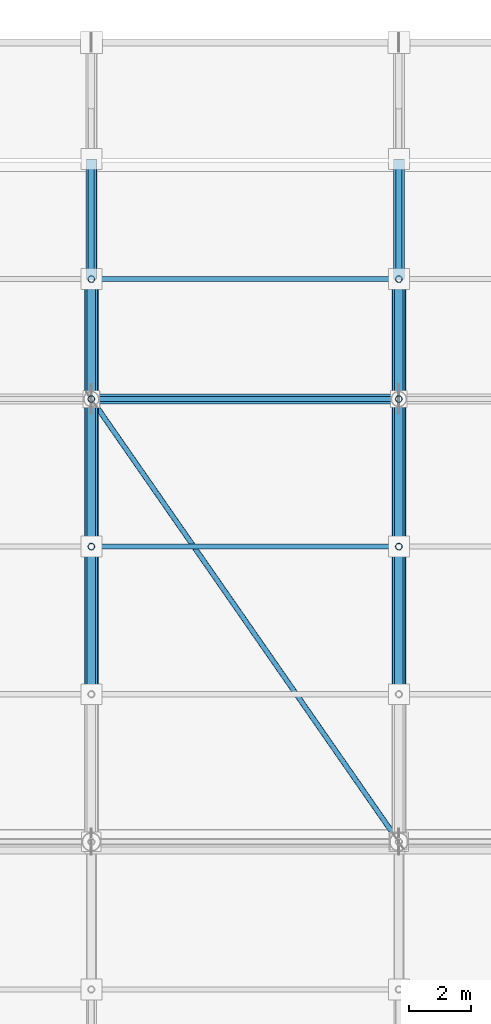
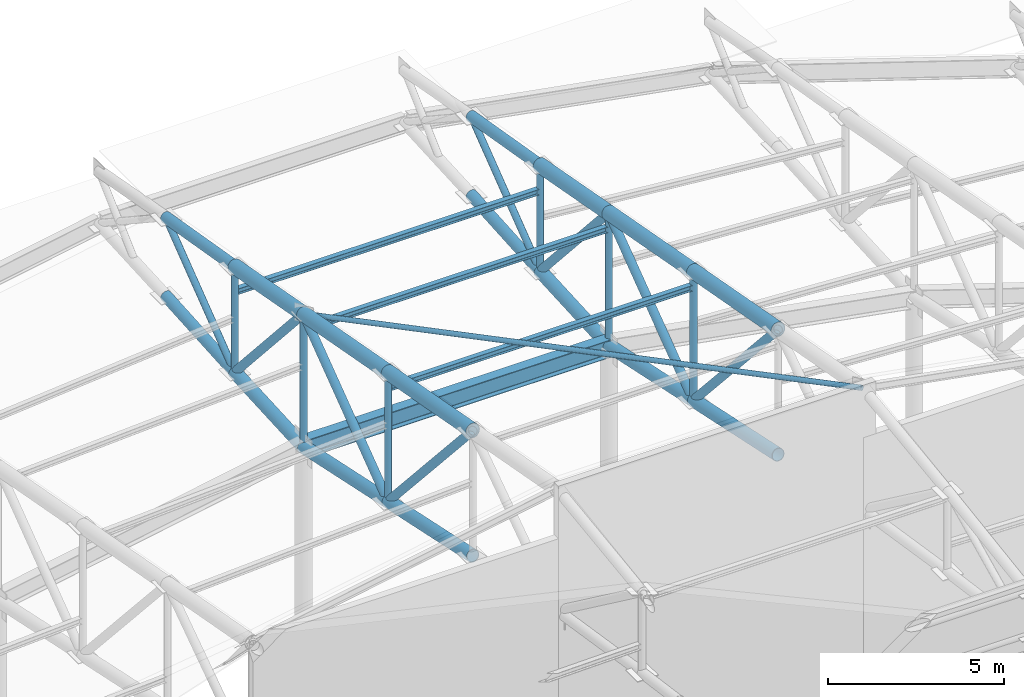
# One storey, part 34 of 146: 34 members, 1 beam.
"""IFC4 building model written with IfcOpenShell, lengths in metres."""

from ifc_helpers import new_model, si_unit, direction, frame, origin, origin_2d, place, context, subcontext, project, spatial, hollow_circle, i_section, extrude, material, material_profile, profile_set, type_object, element, save


model = new_model("IFC4")

# Units and contexts
model_context = context("Model", 3, precision=1e-05, world=origin(), true_north=direction((0.0, 1.0)))
body_context = subcontext(model_context, "Body", "Model", "MODEL_VIEW")
ifc_project = project(units=[si_unit("LENGTHUNIT", "METRE"), si_unit("AREAUNIT", "SQUARE_METRE"), si_unit("VOLUMEUNIT", "CUBIC_METRE"), si_unit("PLANEANGLEUNIT", "RADIAN"), si_unit("MASSUNIT", "GRAM", prefix="KILO")], contexts=[model_context])

# Site, building, storey
site_placement = place(None, origin())
site = spatial("IfcSite", under=ifc_project, at=site_placement, CompositionType="ELEMENT")
building_placement = place(site_placement, origin())
building = spatial("IfcBuilding", under=site, at=building_placement, Name="Candeia Ridge Stadium", CompositionType="ELEMENT")
storey_placement = place(building_placement, frame((0.0, 0.0, 31.800048828125)))
storey = spatial("IfcBuildingStorey", under=building, at=storey_placement, Name="RF", CompositionType="ELEMENT", Elevation=31.800048828125)

# Beam
ifc_material = material(Name="Steel ASTM A572 Grade 50", Category="steel")
ifc_material_profile_1 = material_profile(ifc_material, i_section(OverallWidth=0.324951171875, OverallDepth=0.615966796875, WebThickness=0.013916015625, FlangeThickness=0.021484375, FilletRadius=0.014892578125, at=origin_2d()), Name="W610x174", Category="steel")
ifc_profile_set_1 = profile_set([ifc_material_profile_1], Name="Steel ASTM A572 Grade 50")
beam_type = type_object("IfcBeamType", Name="Roof Compression Ring Beam W610x174", PredefinedType="BEAM", material=ifc_profile_set_1)
beam_placement = place(storey_placement, frame((101.0400390625, 33.39990234375, 6.500244140625), z_axis=(1.0, 0.0, 0.0), x_axis=(0.0, 1.0, 0.0)))
element("IfcBeam", 1, at=beam_placement, inside=storey, type_object=beam_type, Name="Roof compression ring beam bay 22", PredefinedType="BEAM", context=body_context, shape_type="SweptSolid", body=[
    extrude(i_section(OverallWidth=0.324951171875, OverallDepth=0.615966796875, WebThickness=0.013916015625, FlangeThickness=0.021484375, FilletRadius=0.014892578125, at=origin_2d()), origin(), (0.0, 0.0, 1.0), 9.919921875),
])

# Members
ifc_material_profile_2 = material_profile(ifc_material, hollow_circle(Radius=0.084228515625, WallThickness=0.008056640625, at=origin_2d()), Name="CHS168x8", Category="steel")
ifc_profile_set_2 = profile_set([ifc_material_profile_2], Name="Steel ASTM A572 Grade 50")
member_type_1 = type_object("IfcMemberType", Name="Roof Plan Wind Brace CHS168x8", PredefinedType="BRACE", material=ifc_profile_set_2)
member_1_placement = place(storey_placement, frame((101.01123046875, 33.3837890625, 11.103271484375), z_axis=(0.56392860847, -0.812044501318, 0.150227335823), x_axis=(0.821365787944, 0.570401825378, 0.0)))
element("IfcMember", 2, at=member_1_placement, inside=storey, type_object=member_type_1, Name="Roof plane wind brace bay 22", PredefinedType="BRACE", context=body_context, shape_type="SweptSolid", body=[
    extrude(hollow_circle(Radius=0.084228515625, WallThickness=0.008056640625, at=origin_2d()), origin(), (0.0, 0.0, 1.0), 17.69287109375),
])
ifc_material_profile_3 = material_profile(ifc_material, i_section(OverallWidth=0.1650390625, OverallDepth=0.200927734375, WebThickness=0.006103515625, FlangeThickness=0.01025390625, FilletRadius=0.010009765625, at=origin_2d()), Name="W200x35.9", Category="steel")
ifc_profile_set_3 = profile_set([ifc_material_profile_3], Name="Steel ASTM A572 Grade 50")
member_type_2 = type_object("IfcMemberType", Name="Roof Purlin W200x35.9", PredefinedType="PURLIN", material=ifc_profile_set_3)
for number, where, z_axis, x_axis, name in (
    (3, (101.050048828125, 37.300048828125, 9.518798828125), (1.0, 0.0, 0.0), (0.0, 1.0, 0.0), "Saddle roof steel purlin bay 22-1"),
    (4, (101.050048828125, 33.39990234375, 10.580322265625), (1.0, 0.0, 0.0), (0.0, 1.0, 0.0), "Saddle roof steel purlin bay 22-2"),
    (5, (101.050048828125, 28.60009765625, 11.46826171875), (1.0, 0.0, 0.0), (0.0, 1.0, 0.0), "Saddle roof steel purlin bay 22-3"),
):
    element("IfcMember", number, at=place(storey_placement, frame(where, z_axis=z_axis, x_axis=x_axis)), inside=storey, type_object=member_type_2, Name=name, PredefinedType="PURLIN", context=body_context, shape_type="SweptSolid", body=[
        extrude(i_section(OverallWidth=0.1650390625, OverallDepth=0.200927734375, WebThickness=0.006103515625, FlangeThickness=0.01025390625, FilletRadius=0.010009765625, at=origin_2d()), origin(), (0.0, 0.0, 1.0), 9.89990234375),
    ])
ifc_material_profile_4 = material_profile(ifc_material, hollow_circle(Radius=0.136474609375, WallThickness=0.010009765625, at=origin_2d()), Name="CHS273x10", Category="steel")
ifc_profile_set_4 = profile_set([ifc_material_profile_4], Name="Steel ASTM A572 Grade 50")
member_type_3 = type_object("IfcMemberType", Name="Roof Truss Heavy Web Brace CHS273x10", PredefinedType="BRACE", material=ifc_profile_set_4)
member_2_placement = place(storey_placement, frame((101.0, 37.300048828125, 6.72021484375), z_axis=(0.0, -0.665001791652, 0.746841761754), x_axis=(1.0, 0.0, 0.0)))
element("IfcMember", 6, at=member_2_placement, inside=storey, type_object=member_type_3, Name="Roof cantilever truss RT-22 diagonal web 3", PredefinedType="BRACE", context=body_context, shape_type="SweptSolid", body=[
    extrude(hollow_circle(Radius=0.136474609375, WallThickness=0.010009765625, at=origin_2d()), origin(), (0.0, 0.0, 1.0), 5.86474609375),
])
member_3_placement = place(storey_placement, frame((101.0, 33.39990234375, 11.100341796875), z_axis=(0.0, -0.801680135344, -0.597753260631), x_axis=(1.0, 0.0, 0.0)))
element("IfcMember", 7, at=member_3_placement, inside=storey, type_object=member_type_3, Name="Roof cantilever truss RT-22 diagonal web 4", PredefinedType="BRACE", context=body_context, shape_type="SweptSolid", body=[
    extrude(hollow_circle(Radius=0.136474609375, WallThickness=0.010009765625, at=origin_2d()), origin(), (0.0, 0.0, 1.0), 5.987060546875),
])
member_4_placement = place(storey_placement, frame((101.0, 28.60009765625, 7.521484375), z_axis=(0.0, -0.667487252066, 0.744621224737), x_axis=(1.0, 0.0, 0.0)))
element("IfcMember", 8, at=member_4_placement, inside=storey, type_object=member_type_3, Name="Roof cantilever truss RT-22 diagonal web 5", PredefinedType="BRACE", context=body_context, shape_type="SweptSolid", body=[
    extrude(hollow_circle(Radius=0.136474609375, WallThickness=0.010009765625, at=origin_2d()), origin(), (0.0, 0.0, 1.0), 7.191162109375),
])
member_5_placement = place(storey_placement, frame((111.0, 37.300048828125, 6.72021484375), z_axis=(0.0, -0.665001791652, 0.746841761754), x_axis=(1.0, 0.0, 0.0)))
element("IfcMember", 9, at=member_5_placement, inside=storey, type_object=member_type_3, Name="Roof cantilever truss RT-23 diagonal web 3", PredefinedType="BRACE", context=body_context, shape_type="SweptSolid", body=[
    extrude(hollow_circle(Radius=0.136474609375, WallThickness=0.010009765625, at=origin_2d()), origin(), (0.0, 0.0, 1.0), 5.86474609375),
])
member_6_placement = place(storey_placement, frame((111.0, 33.39990234375, 11.100341796875), z_axis=(0.0, -0.801680135344, -0.597753260631), x_axis=(1.0, 0.0, 0.0)))
element("IfcMember", 10, at=member_6_placement, inside=storey, type_object=member_type_3, Name="Roof cantilever truss RT-23 diagonal web 4", PredefinedType="BRACE", context=body_context, shape_type="SweptSolid", body=[
    extrude(hollow_circle(Radius=0.136474609375, WallThickness=0.010009765625, at=origin_2d()), origin(), (0.0, 0.0, 1.0), 5.987060546875),
])
member_7_placement = place(storey_placement, frame((111.0, 28.60009765625, 7.521484375), z_axis=(0.0, -0.667487252066, 0.744621224737), x_axis=(1.0, 0.0, 0.0)))
element("IfcMember", 11, at=member_7_placement, inside=storey, type_object=member_type_3, Name="Roof cantilever truss RT-23 diagonal web 5", PredefinedType="BRACE", context=body_context, shape_type="SweptSolid", body=[
    extrude(hollow_circle(Radius=0.136474609375, WallThickness=0.010009765625, at=origin_2d()), origin(), (0.0, 0.0, 1.0), 7.191162109375),
])
ifc_material_profile_5 = material_profile(ifc_material, hollow_circle(Radius=0.109619140625, WallThickness=0.010009765625, at=origin_2d()), Name="CHS219x10", Category="steel")
ifc_profile_set_5 = profile_set([ifc_material_profile_5], Name="Steel ASTM A572 Grade 50")
member_type_4 = type_object("IfcMemberType", Name="Roof Truss Inner Web Brace CHS219x10", PredefinedType="BRACE", material=ifc_profile_set_5)
member_8_placement = place(storey_placement, frame((101.0, 41.199951171875, 9.707275390625), z_axis=(0.0, -0.793887844601, -0.608064215519), x_axis=(1.0, 0.0, 0.0)))
element("IfcMember", 12, at=member_8_placement, inside=storey, type_object=member_type_4, Name="Roof cantilever truss RT-22 diagonal web 2", PredefinedType="BRACE", context=body_context, shape_type="SweptSolid", body=[
    extrude(hollow_circle(Radius=0.109619140625, WallThickness=0.010009765625, at=origin_2d()), origin(), (0.0, 0.0, 1.0), 4.912353515625),
])
member_9_placement = place(storey_placement, frame((101.0, 37.300048828125, 6.72021484375), z_axis=(0.0, 0.0, 1.0), x_axis=(1.0, 0.0, 0.0)))
element("IfcMember", 13, at=member_9_placement, inside=storey, type_object=member_type_4, Name="Roof cantilever truss RT-22 vertical post 2", PredefinedType="BRACE", context=body_context, shape_type="SweptSolid", body=[
    extrude(hollow_circle(Radius=0.109619140625, WallThickness=0.010009765625, at=origin_2d()), origin(), (0.0, 0.0, 1.0), 3.658447265625),
])
member_10_placement = place(storey_placement, frame((101.0, 33.39990234375, 6.500244140625), z_axis=(0.0, 0.0, 1.0), x_axis=(1.0, 0.0, 0.0)))
element("IfcMember", 14, at=member_10_placement, inside=storey, type_object=member_type_4, Name="Roof cantilever truss RT-22 vertical post 3", PredefinedType="BRACE", context=body_context, shape_type="SweptSolid", body=[
    extrude(hollow_circle(Radius=0.109619140625, WallThickness=0.010009765625, at=origin_2d()), origin(), (0.0, 0.0, 1.0), 4.60009765625),
])
member_11_placement = place(storey_placement, frame((101.0, 28.60009765625, 7.521484375), z_axis=(0.0, 0.0, 1.0), x_axis=(1.0, 0.0, 0.0)))
element("IfcMember", 15, at=member_11_placement, inside=storey, type_object=member_type_4, Name="Roof cantilever truss RT-22 vertical post 4", PredefinedType="BRACE", context=body_context, shape_type="SweptSolid", body=[
    extrude(hollow_circle(Radius=0.109619140625, WallThickness=0.010009765625, at=origin_2d()), origin(), (0.0, 0.0, 1.0), 4.466796875),
])
member_12_placement = place(storey_placement, frame((111.0, 41.199951171875, 9.707275390625), z_axis=(0.0, -0.793887844601, -0.608064215519), x_axis=(1.0, 0.0, 0.0)))
element("IfcMember", 16, at=member_12_placement, inside=storey, type_object=member_type_4, Name="Roof cantilever truss RT-23 diagonal web 2", PredefinedType="BRACE", context=body_context, shape_type="SweptSolid", body=[
    extrude(hollow_circle(Radius=0.109619140625, WallThickness=0.010009765625, at=origin_2d()), origin(), (0.0, 0.0, 1.0), 4.912353515625),
])
member_13_placement = place(storey_placement, frame((111.0, 37.300048828125, 6.72021484375), z_axis=(0.0, 0.0, 1.0), x_axis=(1.0, 0.0, 0.0)))
element("IfcMember", 17, at=member_13_placement, inside=storey, type_object=member_type_4, Name="Roof cantilever truss RT-23 vertical post 2", PredefinedType="BRACE", context=body_context, shape_type="SweptSolid", body=[
    extrude(hollow_circle(Radius=0.109619140625, WallThickness=0.010009765625, at=origin_2d()), origin(), (0.0, 0.0, 1.0), 3.658447265625),
])
member_14_placement = place(storey_placement, frame((111.0, 33.39990234375, 6.500244140625), z_axis=(0.0, 0.0, 1.0), x_axis=(1.0, 0.0, 0.0)))
element("IfcMember", 18, at=member_14_placement, inside=storey, type_object=member_type_4, Name="Roof cantilever truss RT-23 vertical post 3", PredefinedType="BRACE", context=body_context, shape_type="SweptSolid", body=[
    extrude(hollow_circle(Radius=0.109619140625, WallThickness=0.010009765625, at=origin_2d()), origin(), (0.0, 0.0, 1.0), 4.60009765625),
])
member_15_placement = place(storey_placement, frame((111.0, 28.60009765625, 7.521484375), z_axis=(0.0, 0.0, 1.0), x_axis=(1.0, 0.0, 0.0)))
element("IfcMember", 19, at=member_15_placement, inside=storey, type_object=member_type_4, Name="Roof cantilever truss RT-23 vertical post 4", PredefinedType="BRACE", context=body_context, shape_type="SweptSolid", body=[
    extrude(hollow_circle(Radius=0.109619140625, WallThickness=0.010009765625, at=origin_2d()), origin(), (0.0, 0.0, 1.0), 4.466796875),
])
ifc_material_profile_6 = material_profile(ifc_material, hollow_circle(Radius=0.228515625, WallThickness=0.02001953125, at=origin_2d()), Name="CHS457x20", Category="steel")
ifc_profile_set_6 = profile_set([ifc_material_profile_6], Name="Steel ASTM A572 Grade 50")
member_type_5 = type_object("IfcMemberType", Name="Roof Truss Main Chord CHS457x20", PredefinedType="CHORD", material=ifc_profile_set_6)
member_16_placement = place(storey_placement, frame((101.0, 37.300048828125, 10.378662109375), z_axis=(0.0, -0.983307710254, 0.181950396965), x_axis=(1.0, 0.0, 0.0)))
element("IfcMember", 20, at=member_16_placement, inside=storey, type_object=member_type_5, Name="Roof cantilever truss RT-22 top chord 3", PredefinedType="CHORD", context=body_context, shape_type="SweptSolid", body=[
    extrude(hollow_circle(Radius=0.228515625, WallThickness=0.02001953125, at=origin_2d()), origin(), (0.0, 0.0, 1.0), 3.96630859375),
])
member_17_placement = place(storey_placement, frame((101.0, 33.39990234375, 11.100341796875), z_axis=(0.0, -0.983315487156, 0.181908363519), x_axis=(1.0, 0.0, 0.0)))
element("IfcMember", 21, at=member_17_placement, inside=storey, type_object=member_type_5, Name="Roof cantilever truss RT-22 top chord 4", PredefinedType="CHORD", context=body_context, shape_type="SweptSolid", body=[
    extrude(hollow_circle(Radius=0.228515625, WallThickness=0.02001953125, at=origin_2d()), origin(), (0.0, 0.0, 1.0), 4.88134765625),
])
member_18_placement = place(storey_placement, frame((101.0, 28.60009765625, 11.98828125), z_axis=(0.0, -0.983317142098, 0.181899417416), x_axis=(1.0, 0.0, 0.0)))
element("IfcMember", 22, at=member_18_placement, inside=storey, type_object=member_type_5, Name="Roof cantilever truss RT-22 top chord 5", PredefinedType="CHORD", context=body_context, shape_type="SweptSolid", body=[
    extrude(hollow_circle(Radius=0.228515625, WallThickness=0.02001953125, at=origin_2d()), origin(), (0.0, 0.0, 1.0), 4.881591796875),
])
member_19_placement = place(storey_placement, frame((111.0, 37.300048828125, 10.378662109375), z_axis=(0.0, -0.983307710254, 0.181950396965), x_axis=(1.0, 0.0, 0.0)))
element("IfcMember", 23, at=member_19_placement, inside=storey, type_object=member_type_5, Name="Roof cantilever truss RT-23 top chord 3", PredefinedType="CHORD", context=body_context, shape_type="SweptSolid", body=[
    extrude(hollow_circle(Radius=0.228515625, WallThickness=0.02001953125, at=origin_2d()), origin(), (0.0, 0.0, 1.0), 3.96630859375),
])
member_20_placement = place(storey_placement, frame((111.0, 33.39990234375, 11.100341796875), z_axis=(0.0, -0.983315487156, 0.181908363519), x_axis=(1.0, 0.0, 0.0)))
element("IfcMember", 24, at=member_20_placement, inside=storey, type_object=member_type_5, Name="Roof cantilever truss RT-23 top chord 4", PredefinedType="CHORD", context=body_context, shape_type="SweptSolid", body=[
    extrude(hollow_circle(Radius=0.228515625, WallThickness=0.02001953125, at=origin_2d()), origin(), (0.0, 0.0, 1.0), 4.88134765625),
])
member_21_placement = place(storey_placement, frame((111.0, 28.60009765625, 11.98828125), z_axis=(0.0, -0.983317142098, 0.181899417416), x_axis=(1.0, 0.0, 0.0)))
element("IfcMember", 25, at=member_21_placement, inside=storey, type_object=member_type_5, Name="Roof cantilever truss RT-23 top chord 5", PredefinedType="CHORD", context=body_context, shape_type="SweptSolid", body=[
    extrude(hollow_circle(Radius=0.228515625, WallThickness=0.02001953125, at=origin_2d()), origin(), (0.0, 0.0, 1.0), 4.881591796875),
])
ifc_material_profile_7 = material_profile(ifc_material, hollow_circle(Radius=0.202880859375, WallThickness=0.01611328125, at=origin_2d()), Name="CHS406x16", Category="steel")
ifc_profile_set_7 = profile_set([ifc_material_profile_7], Name="Steel ASTM A572 Grade 50")
member_type_6 = type_object("IfcMemberType", Name="Roof Truss Outer Chord CHS406x16", PredefinedType="CHORD", material=ifc_profile_set_7)
member_22_placement = place(storey_placement, frame((101.0, 37.300048828125, 6.72021484375), z_axis=(0.0, -0.998413269272, -0.056311133372), x_axis=(1.0, 0.0, 0.0)))
element("IfcMember", 26, at=member_22_placement, inside=storey, type_object=member_type_6, Name="Roof cantilever truss RT-22 bottom chord 3", PredefinedType="CHORD", context=body_context, shape_type="SweptSolid", body=[
    extrude(hollow_circle(Radius=0.202880859375, WallThickness=0.01611328125, at=origin_2d()), origin(), (0.0, 0.0, 1.0), 3.90625),
])
member_23_placement = place(storey_placement, frame((101.0, 33.39990234375, 6.500244140625), z_axis=(0.0, -0.978105713519, 0.208108657154), x_axis=(1.0, 0.0, 0.0)))
element("IfcMember", 27, at=member_23_placement, inside=storey, type_object=member_type_6, Name="Roof cantilever truss RT-22 bottom chord 4", PredefinedType="CHORD", context=body_context, shape_type="SweptSolid", body=[
    extrude(hollow_circle(Radius=0.202880859375, WallThickness=0.01611328125, at=origin_2d()), origin(), (0.0, 0.0, 1.0), 4.9072265625),
])
member_24_placement = place(storey_placement, frame((101.0, 28.60009765625, 7.521484375), z_axis=(0.0, -0.978097741011, 0.208146124225), x_axis=(1.0, 0.0, 0.0)))
element("IfcMember", 28, at=member_24_placement, inside=storey, type_object=member_type_6, Name="Roof cantilever truss RT-22 bottom chord 5", PredefinedType="CHORD", context=body_context, shape_type="SweptSolid", body=[
    extrude(hollow_circle(Radius=0.202880859375, WallThickness=0.01611328125, at=origin_2d()), origin(), (0.0, 0.0, 1.0), 4.907470703125),
])
member_25_placement = place(storey_placement, frame((111.0, 37.300048828125, 6.72021484375), z_axis=(0.0, -0.998413269272, -0.056311133372), x_axis=(1.0, 0.0, 0.0)))
element("IfcMember", 29, at=member_25_placement, inside=storey, type_object=member_type_6, Name="Roof cantilever truss RT-23 bottom chord 3", PredefinedType="CHORD", context=body_context, shape_type="SweptSolid", body=[
    extrude(hollow_circle(Radius=0.202880859375, WallThickness=0.01611328125, at=origin_2d()), origin(), (0.0, 0.0, 1.0), 3.90625),
])
member_26_placement = place(storey_placement, frame((111.0, 33.39990234375, 6.500244140625), z_axis=(0.0, -0.978105713519, 0.208108657154), x_axis=(1.0, 0.0, 0.0)))
element("IfcMember", 30, at=member_26_placement, inside=storey, type_object=member_type_6, Name="Roof cantilever truss RT-23 bottom chord 4", PredefinedType="CHORD", context=body_context, shape_type="SweptSolid", body=[
    extrude(hollow_circle(Radius=0.202880859375, WallThickness=0.01611328125, at=origin_2d()), origin(), (0.0, 0.0, 1.0), 4.9072265625),
])
member_27_placement = place(storey_placement, frame((111.0, 28.60009765625, 7.521484375), z_axis=(0.0, -0.978097741011, 0.208146124225), x_axis=(1.0, 0.0, 0.0)))
element("IfcMember", 31, at=member_27_placement, inside=storey, type_object=member_type_6, Name="Roof cantilever truss RT-23 bottom chord 5", PredefinedType="CHORD", context=body_context, shape_type="SweptSolid", body=[
    extrude(hollow_circle(Radius=0.202880859375, WallThickness=0.01611328125, at=origin_2d()), origin(), (0.0, 0.0, 1.0), 4.907470703125),
])
ifc_material_profile_8 = material_profile(ifc_material, hollow_circle(Radius=0.177734375, WallThickness=0.01416015625, at=origin_2d()), Name="CHS355x14", Category="steel")
ifc_profile_set_8 = profile_set([ifc_material_profile_8], Name="Steel ASTM A572 Grade 50")
member_type_7 = type_object("IfcMemberType", Name="Roof Truss Tip Chord CHS355x14", PredefinedType="CHORD", material=ifc_profile_set_8)
member_28_placement = place(storey_placement, frame((101.0, 41.199951171875, 9.707275390625), z_axis=(0.0, -0.985502828795, 0.169658994565), x_axis=(1.0, 0.0, 0.0)))
element("IfcMember", 32, at=member_28_placement, inside=storey, type_object=member_type_7, Name="Roof cantilever truss RT-22 top chord 2", PredefinedType="CHORD", context=body_context, shape_type="SweptSolid", body=[
    extrude(hollow_circle(Radius=0.177734375, WallThickness=0.01416015625, at=origin_2d()), origin(), (0.0, 0.0, 1.0), 3.957275390625),
])
member_29_placement = place(storey_placement, frame((101.0, 41.199951171875, 6.989990234375), z_axis=(0.0, -0.997615968556, -0.069009994069), x_axis=(1.0, 0.0, 0.0)))
element("IfcMember", 33, at=member_29_placement, inside=storey, type_object=member_type_7, Name="Roof cantilever truss RT-22 bottom chord 2", PredefinedType="CHORD", context=body_context, shape_type="SweptSolid", body=[
    extrude(hollow_circle(Radius=0.177734375, WallThickness=0.01416015625, at=origin_2d()), origin(), (0.0, 0.0, 1.0), 3.9091796875),
])
member_30_placement = place(storey_placement, frame((111.0, 41.199951171875, 9.707275390625), z_axis=(0.0, -0.985502828795, 0.169658994565), x_axis=(1.0, 0.0, 0.0)))
element("IfcMember", 34, at=member_30_placement, inside=storey, type_object=member_type_7, Name="Roof cantilever truss RT-23 top chord 2", PredefinedType="CHORD", context=body_context, shape_type="SweptSolid", body=[
    extrude(hollow_circle(Radius=0.177734375, WallThickness=0.01416015625, at=origin_2d()), origin(), (0.0, 0.0, 1.0), 3.957275390625),
])
member_31_placement = place(storey_placement, frame((111.0, 41.199951171875, 6.989990234375), z_axis=(0.0, -0.997615968556, -0.069009994069), x_axis=(1.0, 0.0, 0.0)))
element("IfcMember", 35, at=member_31_placement, inside=storey, type_object=member_type_7, Name="Roof cantilever truss RT-23 bottom chord 2", PredefinedType="CHORD", context=body_context, shape_type="SweptSolid", body=[
    extrude(hollow_circle(Radius=0.177734375, WallThickness=0.01416015625, at=origin_2d()), origin(), (0.0, 0.0, 1.0), 3.9091796875),
])

save(model, "model.ifc")
